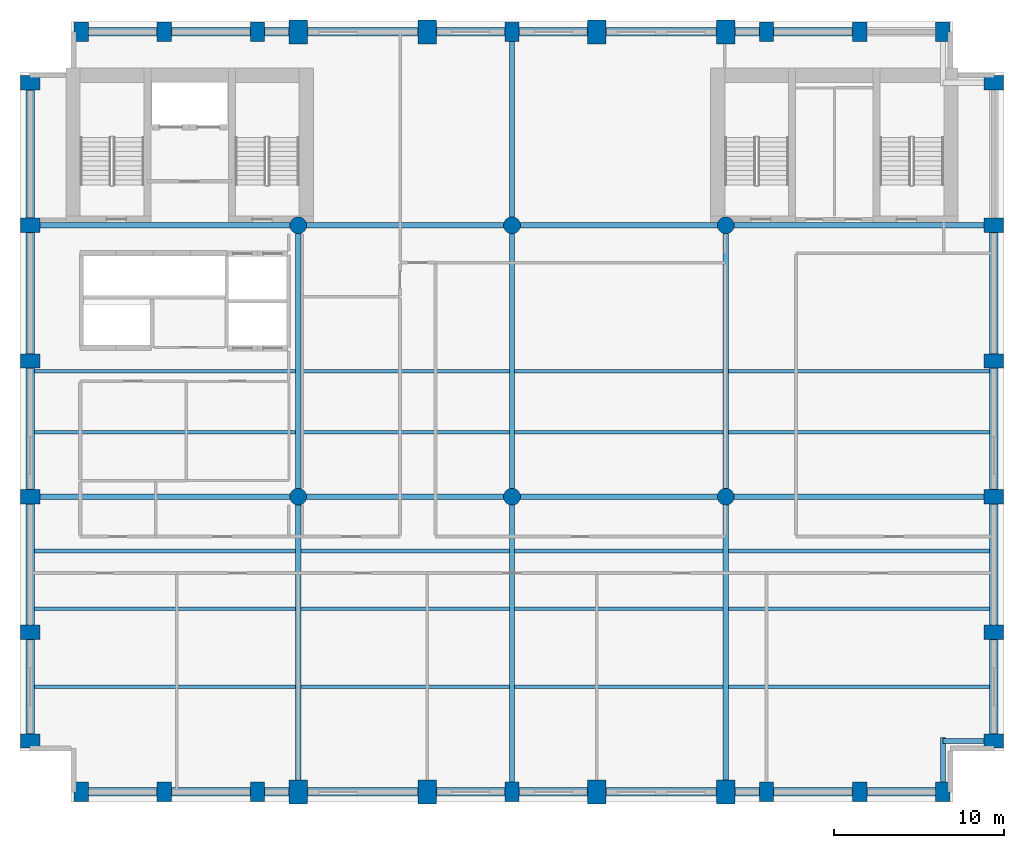
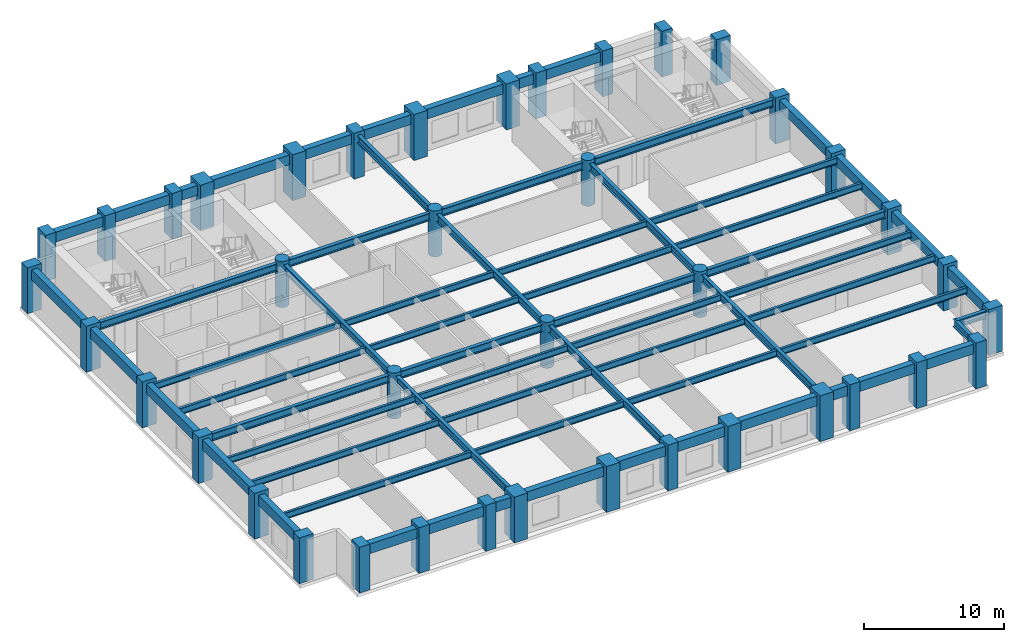
# One storey, part 1 of 8: 65 beams, 40 columns.
"""IFC4 building model written with IfcOpenShell, lengths in metres."""

import ifcopenshell
import ifcopenshell.guid

model = None  # the IFC model being written
_history = None  # IfcOwnerHistory: only IFC2X3 demands one
_inside = {}  # id of a spatial element -> (the spatial element, [elements in it])
_under = {}  # id of a project, library or spatial element -> (it, [spatial elements below it])
_declared = {}  # id of a project -> (the project, [libraries it declares])
_typed = {}  # id of a type object -> (the type object, [elements of that type])
_made_of = {}  # id of a material, layer set ... -> (it, [elements and type objects made of it])


def new_model(schema):
    """Start an empty IFC model of exactly this schema.

    Asked for "IFC4X3", IfcOpenShell would pick the latest addendum, in which some entities
    have other attributes; the version numbers below select the first issue.
    IFC2X3 requires an IfcOwnerHistory on every rooted entity: one is made here for all.
    """
    global model, _history
    if schema == "IFC4X3":
        model = ifcopenshell.file(schema_version=(4, 3, 0, 0))
    else:
        model = ifcopenshell.file(schema=schema)
    _inside.clear()
    _under.clear()
    _declared.clear()
    _typed.clear()
    _made_of.clear()
    _history = None
    if model.schema == "IFC2X3":
        org = make("IfcOrganization", Name="unknown")
        user = make(
            "IfcPersonAndOrganization",
            ThePerson=make("IfcPerson", FamilyName="unknown"),
            TheOrganization=org,
        )
        app = make(
            "IfcApplication",
            ApplicationDeveloper=org,
            Version="unknown",
            ApplicationFullName="unknown",
            ApplicationIdentifier="unknown",
        )
        _history = make(
            "IfcOwnerHistory",
            OwningUser=user,
            OwningApplication=app,
            ChangeAction="ADDED",
            CreationDate=0,
        )
    return model


def make(cls, **values):
    """One entity of the class cls with the attributes given. An attribute that is None is left unset."""
    return model.create_entity(
        cls, **{name: value for name, value in values.items() if value is not None}
    )


def rooted(cls, **values):
    """An entity with a GlobalId (a new one), such as an element, a storey or a relation."""
    return make(cls, GlobalId=ifcopenshell.guid.new(), OwnerHistory=_history, **values)


def si_unit(unit_type, name, prefix=None):
    """IfcSIUnit, for example si_unit("LENGTHUNIT", "METRE", prefix="MILLI")."""
    return make("IfcSIUnit", UnitType=unit_type, Prefix=prefix, Name=name)


def assignment(units):
    """IfcUnitAssignment: the units of a project."""
    return None if units is None else make("IfcUnitAssignment", Units=units)


def point(xyz):
    """IfcCartesianPoint."""
    return None if xyz is None else make("IfcCartesianPoint", Coordinates=xyz)


def direction(xyz):
    """IfcDirection."""
    return None if xyz is None else make("IfcDirection", DirectionRatios=xyz)


def frame(location, z_axis=None, x_axis=None):
    """IfcAxis2Placement3D, a coordinate frame: its origin and axes. An axis left out is left unset."""
    return make(
        "IfcAxis2Placement3D",
        Location=point(location),
        Axis=direction(z_axis),
        RefDirection=direction(x_axis),
    )


def frame_2d(location, x_axis=None):
    """IfcAxis2Placement2D, a coordinate frame in the plane: its origin and x axis."""
    return make(
        "IfcAxis2Placement2D", Location=point(location), RefDirection=direction(x_axis)
    )


def origin():
    """The frame at (0, 0, 0) with its axes left unset."""
    return frame((0.0, 0.0, 0.0))


def origin_2d():
    """The frame at (0, 0) in the plane with its x axis left unset."""
    return frame_2d((0.0, 0.0))


def place(relative_to, where):
    """IfcLocalPlacement: puts the frame where relative to a parent placement (None: the world)."""
    return make(
        "IfcLocalPlacement", PlacementRelTo=relative_to, RelativePlacement=where
    )


def context(
    kind, dimensions, precision=None, world=None, true_north=None, identifier=None
):
    """IfcGeometricRepresentationContext, for example the 3D "Model" context."""
    return make(
        "IfcGeometricRepresentationContext",
        ContextIdentifier=identifier,
        ContextType=kind,
        CoordinateSpaceDimension=dimensions,
        Precision=precision,
        WorldCoordinateSystem=world,
        TrueNorth=true_north,
    )


def subcontext(parent, identifier, kind, view, scale=None):
    """IfcGeometricRepresentationSubContext, for example "Body" below "Model"."""
    return make(
        "IfcGeometricRepresentationSubContext",
        ContextIdentifier=identifier,
        ContextType=kind,
        ParentContext=parent,
        TargetScale=scale,
        TargetView=view,
    )


def project(units=None, contexts=None):
    """IfcProject with its units and contexts."""
    return rooted(
        "IfcProject",
        Name="project",
        RepresentationContexts=contexts,
        UnitsInContext=assignment(units),
    )


def spatial(cls, under=None, at=None, **own):
    """A site, building, storey or space (cls), placed at a placement, below another one or the project."""
    s = rooted(cls, ObjectPlacement=at, **own)
    if under is not None:
        _under.setdefault(under.id(), (under, []))[1].append(s)
    return s


def profile(cls, at=None, kind="AREA", **sizes):
    """A parametric profile (cls). Its sizes go by their IFC names, for example OverallWidth=200.0."""
    return make(cls, ProfileType=kind, Position=at, **sizes)


def rectangle(**sizes):
    """IfcRectangleProfileDef."""
    return profile("IfcRectangleProfileDef", **sizes)


def circle(**sizes):
    """IfcCircleProfileDef."""
    return profile("IfcCircleProfileDef", **sizes)


def i_section(**sizes):
    """IfcIShapeProfileDef."""
    return profile("IfcIShapeProfileDef", **sizes)


def extrude(swept, where, along, depth):
    """IfcExtrudedAreaSolid: the profile swept, set in the frame where, extruded along a direction by depth."""
    return make(
        "IfcExtrudedAreaSolid",
        SweptArea=swept,
        Position=where,
        ExtrudedDirection=direction(along),
        Depth=depth,
    )


def shape(context_of_items, identifier, shape_type, items):
    """IfcShapeRepresentation: the items that make up one representation, for example the "Body"."""
    return make(
        "IfcShapeRepresentation",
        ContextOfItems=context_of_items,
        RepresentationIdentifier=identifier,
        RepresentationType=shape_type,
        Items=items,
    )


def material(Name=None, Category=None):
    """IfcMaterial."""
    return make("IfcMaterial", Name=Name, Category=Category)


def material_profile(
    of_material, cross_section, Name=None, Category=None, Priority=None
):
    """IfcMaterialProfile: a cross section and its material."""
    return make(
        "IfcMaterialProfile",
        Name=Name,
        Material=of_material,
        Profile=cross_section,
        Priority=Priority,
        Category=Category,
    )


def profile_set(profiles, Name=None, composite=None):
    """IfcMaterialProfileSet."""
    return make(
        "IfcMaterialProfileSet",
        Name=Name,
        MaterialProfiles=profiles,
        CompositeProfile=composite,
    )


def made_of(thing, what):
    """Note that an element or type object is made of a material, layer set ...; save() writes the relation."""
    if what is not None:
        _made_of.setdefault(what.id(), (what, []))[1].append(thing)
    return thing


def type_object(cls, material=None, **own):
    """A type object (cls), such as IfcWallType, which elements share."""
    return made_of(rooted(cls, **own), material)


def element(
    cls,
    number,
    at=None,
    inside=None,
    cuts=None,
    type_object=None,
    material=None,
    context=None,
    identifier="Body",
    shape_type=None,
    held_by="IfcProductDefinitionShape",
    body=None,
    shapes=None,
    **own,
):
    """One element of the class cls, such as IfcWall. Its Tag is "e" and its number.

    at: its placement. inside: the storey or other place that contains it. cuts: it is an
    opening in that element (IfcRelVoidsElement). A single representation is given by context,
    identifier, shape_type and body (its items); several are given by shapes. held_by: the class
    of the entity that holds the representations. save() writes the other relations.
    """
    e = rooted(cls, Tag="e%d" % number, ObjectPlacement=at, **own)
    if body is not None:
        shapes = [shape(context, identifier, shape_type, body)]
    if shapes is not None:
        e.Representation = make(held_by, Representations=shapes)
    if inside is not None:
        _inside.setdefault(inside.id(), (inside, []))[1].append(e)
    if cuts is not None:
        rooted(
            "IfcRelVoidsElement", RelatingBuildingElement=cuts, RelatedOpeningElement=e
        )
    if type_object is not None:
        _typed.setdefault(type_object.id(), (type_object, []))[1].append(e)
    return made_of(e, material)


def aggregate(whole, parts):
    """IfcRelAggregates: a whole, such as a stair, and the parts it consists of."""
    return rooted("IfcRelAggregates", RelatingObject=whole, RelatedObjects=parts)


def save(model, path):
    """Write the relations noted so far, then the file.

    IfcRelAggregates (storeys below a building ...), IfcRelContainedInSpatialStructure (elements
    in a storey), IfcRelDefinesByType, IfcRelAssociatesMaterial and IfcRelDeclares: one each for
    every whole, place, type object, material and project.
    """
    for whole, parts in _under.values():
        aggregate(whole, parts)
    for where, things in _inside.values():
        rooted(
            "IfcRelContainedInSpatialStructure",
            RelatedElements=things,
            RelatingStructure=where,
        )
    for kind, things in _typed.values():
        rooted("IfcRelDefinesByType", RelatedObjects=things, RelatingType=kind)
    for what, things in _made_of.values():
        rooted("IfcRelAssociatesMaterial", RelatedObjects=things, RelatingMaterial=what)
    for by, libraries in _declared.values():
        rooted("IfcRelDeclares", RelatingContext=by, RelatedDefinitions=libraries)
    model.write(path)


model = new_model("IFC4")

# Units and contexts
model_context = context("Model", 3, precision=1e-05, world=origin(), true_north=direction((0.0, 1.0)))
body_context = subcontext(model_context, "Body", "Model", "MODEL_VIEW")
ifc_project = project(units=[si_unit("LENGTHUNIT", "METRE"), si_unit("AREAUNIT", "SQUARE_METRE"), si_unit("VOLUMEUNIT", "CUBIC_METRE"), si_unit("PLANEANGLEUNIT", "RADIAN"), si_unit("MASSUNIT", "GRAM", prefix="KILO")], contexts=[model_context])

# Site, building, storey
site_placement = place(None, origin())
site = spatial("IfcSite", under=ifc_project, at=site_placement, CompositionType="ELEMENT")
building_placement = place(site_placement, origin())
building = spatial("IfcBuilding", under=site, at=building_placement, Name="Sulina Concourse Tower", CompositionType="ELEMENT")
storey_placement = place(building_placement, frame((0.0, 0.0, 140.60009765625)))
storey = spatial("IfcBuildingStorey", under=building, at=storey_placement, Name="L34", CompositionType="ELEMENT", Elevation=140.60009765625)

# Columns
ifc_material_1 = material(Name="Concrete C60/75", Category="concrete")
ifc_material_profile_1 = material_profile(ifc_material_1, circle(Radius=0.5, at=origin_2d()), Name="RC D1000")
ifc_profile_set_1 = profile_set([ifc_material_profile_1], Name="Concrete C60/75")
column_type_1 = type_object("IfcColumnType", Name="Lower Interior Circular Column D1000", PredefinedType="COLUMN", material=ifc_profile_set_1)
for number, where, z_axis, x_axis, name in (
    (1, (16.39990234375, 18.0, 0.0), (0.0, 0.0, 1.0), (1.0, 0.0, 0.0), "L34 structural column IC-M-164"),
    (2, (16.39990234375, 34.0, 0.0), (0.0, 0.0, 1.0), (1.0, 0.0, 0.0), "L34 structural column IC-N-164"),
    (3, (29.0, 18.0, 0.0), (0.0, 0.0, 1.0), (1.0, 0.0, 0.0), "L34 structural column IC-M-290"),
    (4, (29.0, 34.0, 0.0), (0.0, 0.0, 1.0), (1.0, 0.0, 0.0), "L34 structural column IC-N-290"),
    (5, (41.60009765625, 18.0, 0.0), (0.0, 0.0, 1.0), (1.0, 0.0, 0.0), "L34 structural column IC-M-416"),
    (6, (41.60009765625, 34.0, 0.0), (0.0, 0.0, 1.0), (1.0, 0.0, 0.0), "L34 structural column IC-N-416"),
):
    element("IfcColumn", number, at=place(storey_placement, frame(where, z_axis=z_axis, x_axis=x_axis)), inside=storey, type_object=column_type_1, Name=name, PredefinedType="COLUMN", context=body_context, shape_type="SweptSolid", body=[
        extrude(circle(Radius=0.5, at=origin_2d()), origin(), (0.0, 0.0, 1.0), 4.0),
    ])
ifc_material_2 = material(Name="Concrete C60/75", Category="concrete")
ifc_material_profile_2 = material_profile(ifc_material_2, rectangle(XDim=1.10009765625, YDim=1.39990234375, at=origin_2d()), Name="RC 1100x1400")
ifc_profile_set_2 = profile_set([ifc_material_profile_2], Name="Concrete C60/75")
column_type_2 = type_object("IfcColumnType", Name="Mid-Rise Portal Column 1100x1400", PredefinedType="COLUMN", material=ifc_profile_set_2)
for number, where, z_axis, x_axis, name in (
    (7, (16.39990234375, 0.60009765625, 0.0), (0.0, 0.0, 1.0), (1.0, 0.0, 0.0), "L34 structural column TP-S-164"),
    (8, (16.39990234375, 45.39990234375, 0.0), (0.0, 0.0, 1.0), (1.0, 0.0, 0.0), "L34 structural column TP-N-164"),
    (9, (24.0, 0.60009765625, 0.0), (0.0, 0.0, 1.0), (1.0, 0.0, 0.0), "L34 structural column TP-S-240"),
    (10, (24.0, 45.39990234375, 0.0), (0.0, 0.0, 1.0), (1.0, 0.0, 0.0), "L34 structural column TP-N-240"),
    (11, (34.0, 0.60009765625, 0.0), (0.0, 0.0, 1.0), (1.0, 0.0, 0.0), "L34 structural column TP-S-340"),
    (12, (34.0, 45.39990234375, 0.0), (0.0, 0.0, 1.0), (1.0, 0.0, 0.0), "L34 structural column TP-N-340"),
    (13, (41.60009765625, 0.60009765625, 0.0), (0.0, 0.0, 1.0), (1.0, 0.0, 0.0), "L34 structural column TP-S-416"),
    (14, (41.60009765625, 45.39990234375, 0.0), (0.0, 0.0, 1.0), (1.0, 0.0, 0.0), "L34 structural column TP-N-416"),
):
    element("IfcColumn", number, at=place(storey_placement, frame(where, z_axis=z_axis, x_axis=x_axis)), inside=storey, type_object=column_type_2, Name=name, PredefinedType="COLUMN", context=body_context, shape_type="SweptSolid", body=[
        extrude(rectangle(XDim=1.10009765625, YDim=1.39990234375, at=origin_2d()), origin(), (0.0, 0.0, 1.0), 4.0),
    ])
ifc_material_3 = material(Name="Precast concrete C60/75", Category="concrete")
ifc_material_profile_3 = material_profile(ifc_material_3, rectangle(XDim=0.85009765625, YDim=1.14990234375, at=origin_2d()), Name="PC 850x1150")
ifc_profile_set_3 = profile_set([ifc_material_profile_3], Name="Precast concrete C60/75")
column_type_3 = type_object("IfcColumnType", Name="Precast Tube Pier Zone 2 850x1150", PredefinedType="COLUMN", material=ifc_profile_set_3)
for number, where, z_axis, x_axis, name in (
    (15, (3.60009765625, 0.60009765625, 0.0), (0.0, 0.0, 1.0), (1.0, 0.0, 0.0), "L34 structural column TP-S-36"),
    (16, (3.60009765625, 45.39990234375, 0.0), (0.0, 0.0, 1.0), (1.0, 0.0, 0.0), "L34 structural column TP-N-36"),
    (17, (8.5, 0.60009765625, 0.0), (0.0, 0.0, 1.0), (1.0, 0.0, 0.0), "L34 structural column TP-S-85"),
    (18, (8.5, 45.39990234375, 0.0), (0.0, 0.0, 1.0), (1.0, 0.0, 0.0), "L34 structural column TP-N-85"),
    (19, (14.0, 0.60009765625, 0.0), (0.0, 0.0, 1.0), (1.0, 0.0, 0.0), "L34 structural column TP-S-140"),
    (20, (14.0, 45.39990234375, 0.0), (0.0, 0.0, 1.0), (1.0, 0.0, 0.0), "L34 structural column TP-N-140"),
    (21, (29.0, 0.60009765625, 0.0), (0.0, 0.0, 1.0), (1.0, 0.0, 0.0), "L34 structural column TP-S-290"),
    (22, (29.0, 45.39990234375, 0.0), (0.0, 0.0, 1.0), (1.0, 0.0, 0.0), "L34 structural column TP-N-290"),
    (23, (44.0, 0.60009765625, 0.0), (0.0, 0.0, 1.0), (1.0, 0.0, 0.0), "L34 structural column TP-S-440"),
    (24, (44.0, 45.39990234375, 0.0), (0.0, 0.0, 1.0), (1.0, 0.0, 0.0), "L34 structural column TP-N-440"),
    (25, (49.5, 0.60009765625, 0.0), (0.0, 0.0, 1.0), (1.0, 0.0, 0.0), "L34 structural column TP-S-495"),
    (26, (49.5, 45.39990234375, 0.0), (0.0, 0.0, 1.0), (1.0, 0.0, 0.0), "L34 structural column TP-N-495"),
    (27, (54.39990234375, 0.60009765625, 0.0), (0.0, 0.0, 1.0), (1.0, 0.0, 0.0), "L34 structural column TP-S-544"),
    (28, (54.39990234375, 45.39990234375, 0.0), (0.0, 0.0, 1.0), (1.0, 0.0, 0.0), "L34 structural column TP-N-544"),
    (29, (0.60009765625, 3.60009765625, 0.0), (0.0, 0.0, 1.0), (0.0, 1.0, 0.0), "L34 structural column TP-W-36"),
    (30, (57.39990234375, 3.60009765625, 0.0), (0.0, 0.0, 1.0), (0.0, 1.0, 0.0), "L34 structural column TP-E-36"),
    (31, (0.60009765625, 10.0, 0.0), (0.0, 0.0, 1.0), (0.0, 1.0, 0.0), "L34 structural column TP-W-100"),
    (32, (57.39990234375, 10.0, 0.0), (0.0, 0.0, 1.0), (0.0, 1.0, 0.0), "L34 structural column TP-E-100"),
    (33, (0.60009765625, 18.0, 0.0), (0.0, 0.0, 1.0), (0.0, 1.0, 0.0), "L34 structural column TP-W-180"),
    (34, (57.39990234375, 18.0, 0.0), (0.0, 0.0, 1.0), (0.0, 1.0, 0.0), "L34 structural column TP-E-180"),
    (35, (0.60009765625, 26.0, 0.0), (0.0, 0.0, 1.0), (0.0, 1.0, 0.0), "L34 structural column TP-W-260"),
    (36, (57.39990234375, 26.0, 0.0), (0.0, 0.0, 1.0), (0.0, 1.0, 0.0), "L34 structural column TP-E-260"),
    (37, (0.60009765625, 34.0, 0.0), (0.0, 0.0, 1.0), (0.0, 1.0, 0.0), "L34 structural column TP-W-340"),
    (38, (57.39990234375, 34.0, 0.0), (0.0, 0.0, 1.0), (0.0, 1.0, 0.0), "L34 structural column TP-E-340"),
    (39, (0.60009765625, 42.39990234375, 0.0), (0.0, 0.0, 1.0), (0.0, 1.0, 0.0), "L34 structural column TP-W-424"),
    (40, (57.39990234375, 42.39990234375, 0.0), (0.0, 0.0, 1.0), (0.0, 1.0, 0.0), "L34 structural column TP-E-424"),
):
    element("IfcColumn", number, at=place(storey_placement, frame(where, z_axis=z_axis, x_axis=x_axis)), inside=storey, type_object=column_type_3, Name=name, PredefinedType="COLUMN", context=body_context, shape_type="SweptSolid", body=[
        extrude(rectangle(XDim=0.85009765625, YDim=1.14990234375, at=origin_2d()), origin(), (0.0, 0.0, 1.0), 4.0),
    ])

# Beams
ifc_material_4 = material(Name="Steel S355", Category="steel")
ifc_material_profile_4 = material_profile(ifc_material_4, i_section(OverallWidth=0.2099609375, OverallDepth=0.550048828125, WebThickness=0.010986328125, FlangeThickness=0.01708984375, at=origin_2d()), Name="IPE 550")
ifc_profile_set_4 = profile_set([ifc_material_profile_4], Name="Steel S355")
beam_type_1 = type_object("IfcBeamType", Name="Composite Floor Joist IPE550", PredefinedType="JOIST", material=ifc_profile_set_4)
beam_1_placement = place(storey_placement, frame((0.85009765625, 6.800048828125, 3.449951171875), z_axis=(1.0, 0.0, 0.0), x_axis=(0.0, 1.0, 0.0)))
element("IfcBeam", 41, at=beam_1_placement, inside=storey, type_object=beam_type_1, Name="FJ-J06-1-L34", PredefinedType="JOIST", context=body_context, shape_type="SweptSolid", body=[
    extrude(i_section(OverallWidth=0.2099609375, OverallDepth=0.550048828125, WebThickness=0.010986328125, FlangeThickness=0.01708984375, at=origin_2d()), origin(), (0.0, 0.0, 1.0), 15.39990234375),
])
for number, where, z_axis, x_axis, name in (
    (42, (16.550048828125, 6.800048828125, 3.449951171875), (1.0, 0.0, 0.0), (0.0, 1.0, 0.0), "FJ-J06-2-L34"),
    (43, (29.14990234375, 6.800048828125, 3.449951171875), (1.0, 0.0, 0.0), (0.0, 1.0, 0.0), "FJ-J06-3-L34"),
):
    element("IfcBeam", number, at=place(storey_placement, frame(where, z_axis=z_axis, x_axis=x_axis)), inside=storey, type_object=beam_type_1, Name=name, PredefinedType="JOIST", context=body_context, shape_type="SweptSolid", body=[
        extrude(i_section(OverallWidth=0.2099609375, OverallDepth=0.550048828125, WebThickness=0.010986328125, FlangeThickness=0.01708984375, at=origin_2d()), origin(), (0.0, 0.0, 1.0), 12.300048828125),
    ])
for number, where, z_axis, x_axis, name in (
    (44, (41.75, 6.800048828125, 3.449951171875), (1.0, 0.0, 0.0), (0.0, 1.0, 0.0), "FJ-J06-4-L34"),
    (45, (0.85009765625, 11.39990234375, 3.449951171875), (1.0, 0.0, 0.0), (0.0, 1.0, 0.0), "FJ-J11-1-L34"),
):
    element("IfcBeam", number, at=place(storey_placement, frame(where, z_axis=z_axis, x_axis=x_axis)), inside=storey, type_object=beam_type_1, Name=name, PredefinedType="JOIST", context=body_context, shape_type="SweptSolid", body=[
        extrude(i_section(OverallWidth=0.2099609375, OverallDepth=0.550048828125, WebThickness=0.010986328125, FlangeThickness=0.01708984375, at=origin_2d()), origin(), (0.0, 0.0, 1.0), 15.39990234375),
    ])
for number, where, z_axis, x_axis, name in (
    (46, (16.550048828125, 11.39990234375, 3.449951171875), (1.0, 0.0, 0.0), (0.0, 1.0, 0.0), "FJ-J11-2-L34"),
    (47, (29.14990234375, 11.39990234375, 3.449951171875), (1.0, 0.0, 0.0), (0.0, 1.0, 0.0), "FJ-J11-3-L34"),
):
    element("IfcBeam", number, at=place(storey_placement, frame(where, z_axis=z_axis, x_axis=x_axis)), inside=storey, type_object=beam_type_1, Name=name, PredefinedType="JOIST", context=body_context, shape_type="SweptSolid", body=[
        extrude(i_section(OverallWidth=0.2099609375, OverallDepth=0.550048828125, WebThickness=0.010986328125, FlangeThickness=0.01708984375, at=origin_2d()), origin(), (0.0, 0.0, 1.0), 12.300048828125),
    ])
for number, where, z_axis, x_axis, name in (
    (48, (41.75, 11.39990234375, 3.449951171875), (1.0, 0.0, 0.0), (0.0, 1.0, 0.0), "FJ-J11-4-L34"),
    (49, (0.85009765625, 14.800048828125, 3.449951171875), (1.0, 0.0, 0.0), (0.0, 1.0, 0.0), "FJ-J15-1-L34"),
):
    element("IfcBeam", number, at=place(storey_placement, frame(where, z_axis=z_axis, x_axis=x_axis)), inside=storey, type_object=beam_type_1, Name=name, PredefinedType="JOIST", context=body_context, shape_type="SweptSolid", body=[
        extrude(i_section(OverallWidth=0.2099609375, OverallDepth=0.550048828125, WebThickness=0.010986328125, FlangeThickness=0.01708984375, at=origin_2d()), origin(), (0.0, 0.0, 1.0), 15.39990234375),
    ])
for number, where, z_axis, x_axis, name in (
    (50, (16.550048828125, 14.800048828125, 3.449951171875), (1.0, 0.0, 0.0), (0.0, 1.0, 0.0), "FJ-J15-2-L34"),
    (51, (29.14990234375, 14.800048828125, 3.449951171875), (1.0, 0.0, 0.0), (0.0, 1.0, 0.0), "FJ-J15-3-L34"),
):
    element("IfcBeam", number, at=place(storey_placement, frame(where, z_axis=z_axis, x_axis=x_axis)), inside=storey, type_object=beam_type_1, Name=name, PredefinedType="JOIST", context=body_context, shape_type="SweptSolid", body=[
        extrude(i_section(OverallWidth=0.2099609375, OverallDepth=0.550048828125, WebThickness=0.010986328125, FlangeThickness=0.01708984375, at=origin_2d()), origin(), (0.0, 0.0, 1.0), 12.300048828125),
    ])
for number, where, z_axis, x_axis, name in (
    (52, (41.75, 14.800048828125, 3.449951171875), (1.0, 0.0, 0.0), (0.0, 1.0, 0.0), "FJ-J15-4-L34"),
    (53, (0.85009765625, 21.800048828125, 3.449951171875), (1.0, 0.0, 0.0), (0.0, 1.0, 0.0), "FJ-J22-1-L34"),
):
    element("IfcBeam", number, at=place(storey_placement, frame(where, z_axis=z_axis, x_axis=x_axis)), inside=storey, type_object=beam_type_1, Name=name, PredefinedType="JOIST", context=body_context, shape_type="SweptSolid", body=[
        extrude(i_section(OverallWidth=0.2099609375, OverallDepth=0.550048828125, WebThickness=0.010986328125, FlangeThickness=0.01708984375, at=origin_2d()), origin(), (0.0, 0.0, 1.0), 15.39990234375),
    ])
for number, where, z_axis, x_axis, name in (
    (54, (16.550048828125, 21.800048828125, 3.449951171875), (1.0, 0.0, 0.0), (0.0, 1.0, 0.0), "FJ-J22-2-L34"),
    (55, (29.14990234375, 21.800048828125, 3.449951171875), (1.0, 0.0, 0.0), (0.0, 1.0, 0.0), "FJ-J22-3-L34"),
):
    element("IfcBeam", number, at=place(storey_placement, frame(where, z_axis=z_axis, x_axis=x_axis)), inside=storey, type_object=beam_type_1, Name=name, PredefinedType="JOIST", context=body_context, shape_type="SweptSolid", body=[
        extrude(i_section(OverallWidth=0.2099609375, OverallDepth=0.550048828125, WebThickness=0.010986328125, FlangeThickness=0.01708984375, at=origin_2d()), origin(), (0.0, 0.0, 1.0), 12.300048828125),
    ])
for number, where, z_axis, x_axis, name in (
    (56, (41.75, 21.800048828125, 3.449951171875), (1.0, 0.0, 0.0), (0.0, 1.0, 0.0), "FJ-J22-4-L34"),
    (57, (0.85009765625, 25.39990234375, 3.449951171875), (1.0, 0.0, 0.0), (0.0, 1.0, 0.0), "FJ-J25-1-L34"),
):
    element("IfcBeam", number, at=place(storey_placement, frame(where, z_axis=z_axis, x_axis=x_axis)), inside=storey, type_object=beam_type_1, Name=name, PredefinedType="JOIST", context=body_context, shape_type="SweptSolid", body=[
        extrude(i_section(OverallWidth=0.2099609375, OverallDepth=0.550048828125, WebThickness=0.010986328125, FlangeThickness=0.01708984375, at=origin_2d()), origin(), (0.0, 0.0, 1.0), 15.39990234375),
    ])
for number, where, z_axis, x_axis, name in (
    (58, (16.550048828125, 25.39990234375, 3.449951171875), (1.0, 0.0, 0.0), (0.0, 1.0, 0.0), "FJ-J25-2-L34"),
    (59, (29.14990234375, 25.39990234375, 3.449951171875), (1.0, 0.0, 0.0), (0.0, 1.0, 0.0), "FJ-J25-3-L34"),
):
    element("IfcBeam", number, at=place(storey_placement, frame(where, z_axis=z_axis, x_axis=x_axis)), inside=storey, type_object=beam_type_1, Name=name, PredefinedType="JOIST", context=body_context, shape_type="SweptSolid", body=[
        extrude(i_section(OverallWidth=0.2099609375, OverallDepth=0.550048828125, WebThickness=0.010986328125, FlangeThickness=0.01708984375, at=origin_2d()), origin(), (0.0, 0.0, 1.0), 12.300048828125),
    ])
beam_2_placement = place(storey_placement, frame((41.75, 25.39990234375, 3.449951171875), z_axis=(1.0, 0.0, 0.0), x_axis=(0.0, 1.0, 0.0)))
element("IfcBeam", 60, at=beam_2_placement, inside=storey, type_object=beam_type_1, Name="FJ-J25-4-L34", PredefinedType="JOIST", context=body_context, shape_type="SweptSolid", body=[
    extrude(i_section(OverallWidth=0.2099609375, OverallDepth=0.550048828125, WebThickness=0.010986328125, FlangeThickness=0.01708984375, at=origin_2d()), origin(), (0.0, 0.0, 1.0), 15.39990234375),
])
ifc_material_5 = material(Name="Steel S355", Category="steel")
ifc_material_profile_5 = material_profile(ifc_material_5, i_section(OverallWidth=0.300048828125, OverallDepth=0.64990234375, WebThickness=0.01611328125, FlangeThickness=0.031005859375, at=origin_2d()), Name="HE 650 B")
ifc_profile_set_5 = profile_set([ifc_material_profile_5], Name="Steel S355")
beam_type_2 = type_object("IfcBeamType", Name="Floor Primary Girder Zone 2 HE650B", PredefinedType="BEAM", material=ifc_profile_set_5)
beam_3_placement = place(storey_placement, frame((54.39990234375, 3.60009765625, 3.39990234375), z_axis=(1.0, 0.0, 0.0), x_axis=(0.0, 1.0, 0.0)))
element("IfcBeam", 61, at=beam_3_placement, inside=storey, type_object=beam_type_2, Name="TIE-SE-L34", PredefinedType="BEAM", context=body_context, shape_type="SweptSolid", body=[
    extrude(i_section(OverallWidth=0.300048828125, OverallDepth=0.64990234375, WebThickness=0.01611328125, FlangeThickness=0.031005859375, at=origin_2d()), origin(), (0.0, 0.0, 1.0), 2.59521484375),
])
beam_4_placement = place(storey_placement, frame((54.39990234375, 1.0048828125, 3.39990234375), z_axis=(0.0, 1.0, 0.0), x_axis=(-1.0, 0.0, 0.0)))
element("IfcBeam", 62, at=beam_4_placement, inside=storey, type_object=beam_type_2, Name="TIE-SES-L34", PredefinedType="BEAM", context=body_context, shape_type="SweptSolid", body=[
    extrude(i_section(OverallWidth=0.300048828125, OverallDepth=0.64990234375, WebThickness=0.01611328125, FlangeThickness=0.031005859375, at=origin_2d()), origin(), (0.0, 0.0, 1.0), 2.795166015625),
])
beam_5_placement = place(storey_placement, frame((1.0048828125, 18.0, 3.39990234375), z_axis=(1.0, 0.0, 0.0), x_axis=(0.0, 1.0, 0.0)))
element("IfcBeam", 63, at=beam_5_placement, inside=storey, type_object=beam_type_2, Name="FG-EW1-L34", PredefinedType="BEAM", context=body_context, shape_type="SweptSolid", body=[
    extrude(i_section(OverallWidth=0.300048828125, OverallDepth=0.64990234375, WebThickness=0.01611328125, FlangeThickness=0.031005859375, at=origin_2d()), origin(), (0.0, 0.0, 1.0), 14.9150390625),
])
for number, where, z_axis, x_axis, name in (
    (64, (16.8798828125, 18.0, 3.39990234375), (1.0, 0.0, 0.0), (0.0, 1.0, 0.0), "FG-EW2-L34"),
    (65, (29.47998046875, 18.0, 3.39990234375), (1.0, 0.0, 0.0), (0.0, 1.0, 0.0), "FG-EW3-L34"),
):
    element("IfcBeam", number, at=place(storey_placement, frame(where, z_axis=z_axis, x_axis=x_axis)), inside=storey, type_object=beam_type_2, Name=name, PredefinedType="BEAM", context=body_context, shape_type="SweptSolid", body=[
        extrude(i_section(OverallWidth=0.300048828125, OverallDepth=0.64990234375, WebThickness=0.01611328125, FlangeThickness=0.031005859375, at=origin_2d()), origin(), (0.0, 0.0, 1.0), 11.64013671875),
    ])
for number, where, z_axis, x_axis, name in (
    (66, (42.080078125, 18.0, 3.39990234375), (1.0, 0.0, 0.0), (0.0, 1.0, 0.0), "FG-EW4-L34"),
    (67, (1.0048828125, 34.0, 3.39990234375), (1.0, 0.0, 0.0), (0.0, 1.0, 0.0), "FG-EWN1-L34"),
):
    element("IfcBeam", number, at=place(storey_placement, frame(where, z_axis=z_axis, x_axis=x_axis)), inside=storey, type_object=beam_type_2, Name=name, PredefinedType="BEAM", context=body_context, shape_type="SweptSolid", body=[
        extrude(i_section(OverallWidth=0.300048828125, OverallDepth=0.64990234375, WebThickness=0.01611328125, FlangeThickness=0.031005859375, at=origin_2d()), origin(), (0.0, 0.0, 1.0), 14.9150390625),
    ])
for number, where, z_axis, x_axis, name in (
    (68, (16.8798828125, 34.0, 3.39990234375), (1.0, 0.0, 0.0), (0.0, 1.0, 0.0), "FG-EWN2-L34"),
    (69, (29.47998046875, 34.0, 3.39990234375), (1.0, 0.0, 0.0), (0.0, 1.0, 0.0), "FG-EWN3-L34"),
):
    element("IfcBeam", number, at=place(storey_placement, frame(where, z_axis=z_axis, x_axis=x_axis)), inside=storey, type_object=beam_type_2, Name=name, PredefinedType="BEAM", context=body_context, shape_type="SweptSolid", body=[
        extrude(i_section(OverallWidth=0.300048828125, OverallDepth=0.64990234375, WebThickness=0.01611328125, FlangeThickness=0.031005859375, at=origin_2d()), origin(), (0.0, 0.0, 1.0), 11.64013671875),
    ])
beam_6_placement = place(storey_placement, frame((42.080078125, 34.0, 3.39990234375), z_axis=(1.0, 0.0, 0.0), x_axis=(0.0, 1.0, 0.0)))
element("IfcBeam", 70, at=beam_6_placement, inside=storey, type_object=beam_type_2, Name="FG-EWN4-L34", PredefinedType="BEAM", context=body_context, shape_type="SweptSolid", body=[
    extrude(i_section(OverallWidth=0.300048828125, OverallDepth=0.64990234375, WebThickness=0.01611328125, FlangeThickness=0.031005859375, at=origin_2d()), origin(), (0.0, 0.0, 1.0), 14.9150390625),
])
beam_7_placement = place(storey_placement, frame((16.39990234375, 1.1298828125, 3.39990234375), z_axis=(0.0, 1.0, 0.0), x_axis=(-1.0, 0.0, 0.0)))
element("IfcBeam", 71, at=beam_7_placement, inside=storey, type_object=beam_type_2, Name="FG-NSA-16-L34", PredefinedType="BEAM", context=body_context, shape_type="SweptSolid", body=[
    extrude(i_section(OverallWidth=0.300048828125, OverallDepth=0.64990234375, WebThickness=0.01611328125, FlangeThickness=0.031005859375, at=origin_2d()), origin(), (0.0, 0.0, 1.0), 16.39013671875),
])
beam_8_placement = place(storey_placement, frame((16.39990234375, 18.47998046875, 3.39990234375), z_axis=(0.0, 1.0, 0.0), x_axis=(-1.0, 0.0, 0.0)))
element("IfcBeam", 72, at=beam_8_placement, inside=storey, type_object=beam_type_2, Name="FG-NSB-16-L34", PredefinedType="BEAM", context=body_context, shape_type="SweptSolid", body=[
    extrude(i_section(OverallWidth=0.300048828125, OverallDepth=0.64990234375, WebThickness=0.01611328125, FlangeThickness=0.031005859375, at=origin_2d()), origin(), (0.0, 0.0, 1.0), 15.0400390625),
])
beam_9_placement = place(storey_placement, frame((29.0, 1.0048828125, 3.39990234375), z_axis=(0.0, 1.0, 0.0), x_axis=(-1.0, 0.0, 0.0)))
element("IfcBeam", 73, at=beam_9_placement, inside=storey, type_object=beam_type_2, Name="FG-NSA-29-L34", PredefinedType="BEAM", context=body_context, shape_type="SweptSolid", body=[
    extrude(i_section(OverallWidth=0.300048828125, OverallDepth=0.64990234375, WebThickness=0.01611328125, FlangeThickness=0.031005859375, at=origin_2d()), origin(), (0.0, 0.0, 1.0), 16.51513671875),
])
beam_10_placement = place(storey_placement, frame((29.0, 18.47998046875, 3.39990234375), z_axis=(0.0, 1.0, 0.0), x_axis=(-1.0, 0.0, 0.0)))
element("IfcBeam", 74, at=beam_10_placement, inside=storey, type_object=beam_type_2, Name="FG-NSB-29-L34", PredefinedType="BEAM", context=body_context, shape_type="SweptSolid", body=[
    extrude(i_section(OverallWidth=0.300048828125, OverallDepth=0.64990234375, WebThickness=0.01611328125, FlangeThickness=0.031005859375, at=origin_2d()), origin(), (0.0, 0.0, 1.0), 15.0400390625),
])
beam_11_placement = place(storey_placement, frame((29.0, 34.47998046875, 3.39990234375), z_axis=(0.0, 1.0, 0.0), x_axis=(-1.0, 0.0, 0.0)))
element("IfcBeam", 75, at=beam_11_placement, inside=storey, type_object=beam_type_2, Name="FG-NSC-29-L34", PredefinedType="BEAM", context=body_context, shape_type="SweptSolid", body=[
    extrude(i_section(OverallWidth=0.300048828125, OverallDepth=0.64990234375, WebThickness=0.01611328125, FlangeThickness=0.031005859375, at=origin_2d()), origin(), (0.0, 0.0, 1.0), 10.51513671875),
])
beam_12_placement = place(storey_placement, frame((41.60009765625, 1.1298828125, 3.39990234375), z_axis=(0.0, 1.0, 0.0), x_axis=(-1.0, 0.0, 0.0)))
element("IfcBeam", 76, at=beam_12_placement, inside=storey, type_object=beam_type_2, Name="FG-NSA-41-L34", PredefinedType="BEAM", context=body_context, shape_type="SweptSolid", body=[
    extrude(i_section(OverallWidth=0.300048828125, OverallDepth=0.64990234375, WebThickness=0.01611328125, FlangeThickness=0.031005859375, at=origin_2d()), origin(), (0.0, 0.0, 1.0), 16.39013671875),
])
beam_13_placement = place(storey_placement, frame((41.60009765625, 18.47998046875, 3.39990234375), z_axis=(0.0, 1.0, 0.0), x_axis=(-1.0, 0.0, 0.0)))
element("IfcBeam", 77, at=beam_13_placement, inside=storey, type_object=beam_type_2, Name="FG-NSB-41-L34", PredefinedType="BEAM", context=body_context, shape_type="SweptSolid", body=[
    extrude(i_section(OverallWidth=0.300048828125, OverallDepth=0.64990234375, WebThickness=0.01611328125, FlangeThickness=0.031005859375, at=origin_2d()), origin(), (0.0, 0.0, 1.0), 15.0400390625),
])
ifc_material_6 = material(Name="Precast concrete C50/60", Category="concrete")
ifc_material_profile_6 = material_profile(ifc_material_6, rectangle(XDim=0.5, YDim=0.85009765625, at=origin_2d()), Name="RC 500x850")
ifc_profile_set_6 = profile_set([ifc_material_profile_6], Name="Precast concrete C50/60")
beam_type_3 = type_object("IfcBeamType", Name="Lower Precast Spandrel Edge Beam 500x850", PredefinedType="BEAM", material=ifc_profile_set_6)
beam_14_placement = place(storey_placement, frame((4.0048828125, 0.60009765625, 3.2998046875), z_axis=(1.0, 0.0, 0.0), x_axis=(0.0, 1.0, 0.0)))
element("IfcBeam", 78, at=beam_14_placement, inside=storey, type_object=beam_type_3, Name="SP-S1-L34", PredefinedType="BEAM", context=body_context, shape_type="SweptSolid", body=[
    extrude(rectangle(XDim=0.5, YDim=0.85009765625, at=origin_2d()), origin(), (0.0, 0.0, 1.0), 4.090087890625),
])
beam_15_placement = place(storey_placement, frame((8.905029296875, 0.60009765625, 3.2998046875), z_axis=(1.0, 0.0, 0.0), x_axis=(0.0, 1.0, 0.0)))
element("IfcBeam", 79, at=beam_15_placement, inside=storey, type_object=beam_type_3, Name="SP-S2-L34", PredefinedType="BEAM", context=body_context, shape_type="SweptSolid", body=[
    extrude(rectangle(XDim=0.5, YDim=0.85009765625, at=origin_2d()), origin(), (0.0, 0.0, 1.0), 4.68994140625),
])
beam_16_placement = place(storey_placement, frame((14.405029296875, 0.60009765625, 3.2998046875), z_axis=(1.0, 0.0, 0.0), x_axis=(0.0, 1.0, 0.0)))
element("IfcBeam", 80, at=beam_16_placement, inside=storey, type_object=beam_type_3, Name="SP-S3-L34", PredefinedType="BEAM", context=body_context, shape_type="SweptSolid", body=[
    extrude(rectangle(XDim=0.5, YDim=0.85009765625, at=origin_2d()), origin(), (0.0, 0.0, 1.0), 1.465087890625),
])
beam_17_placement = place(storey_placement, frame((16.929931640625, 0.60009765625, 3.2998046875), z_axis=(1.0, 0.0, 0.0), x_axis=(0.0, 1.0, 0.0)))
element("IfcBeam", 81, at=beam_17_placement, inside=storey, type_object=beam_type_3, Name="SP-S4-L34", PredefinedType="BEAM", context=body_context, shape_type="SweptSolid", body=[
    extrude(rectangle(XDim=0.5, YDim=0.85009765625, at=origin_2d()), origin(), (0.0, 0.0, 1.0), 6.5400390625),
])
for number, where, z_axis, x_axis, name in (
    (82, (24.530029296875, 0.60009765625, 3.2998046875), (1.0, 0.0, 0.0), (0.0, 1.0, 0.0), "SP-S5-L34"),
    (83, (29.405029296875, 0.60009765625, 3.2998046875), (1.0, 0.0, 0.0), (0.0, 1.0, 0.0), "SP-S6-L34"),
):
    element("IfcBeam", number, at=place(storey_placement, frame(where, z_axis=z_axis, x_axis=x_axis)), inside=storey, type_object=beam_type_3, Name=name, PredefinedType="BEAM", context=body_context, shape_type="SweptSolid", body=[
        extrude(rectangle(XDim=0.5, YDim=0.85009765625, at=origin_2d()), origin(), (0.0, 0.0, 1.0), 4.06494140625),
    ])
beam_18_placement = place(storey_placement, frame((34.530029296875, 0.60009765625, 3.2998046875), z_axis=(1.0, 0.0, 0.0), x_axis=(0.0, 1.0, 0.0)))
element("IfcBeam", 84, at=beam_18_placement, inside=storey, type_object=beam_type_3, Name="SP-S7-L34", PredefinedType="BEAM", context=body_context, shape_type="SweptSolid", body=[
    extrude(rectangle(XDim=0.5, YDim=0.85009765625, at=origin_2d()), origin(), (0.0, 0.0, 1.0), 6.5400390625),
])
beam_19_placement = place(storey_placement, frame((42.1298828125, 0.60009765625, 3.2998046875), z_axis=(1.0, 0.0, 0.0), x_axis=(0.0, 1.0, 0.0)))
element("IfcBeam", 85, at=beam_19_placement, inside=storey, type_object=beam_type_3, Name="SP-S8-L34", PredefinedType="BEAM", context=body_context, shape_type="SweptSolid", body=[
    extrude(rectangle(XDim=0.5, YDim=0.85009765625, at=origin_2d()), origin(), (0.0, 0.0, 1.0), 1.465087890625),
])
beam_20_placement = place(storey_placement, frame((44.405029296875, 0.60009765625, 3.2998046875), z_axis=(1.0, 0.0, 0.0), x_axis=(0.0, 1.0, 0.0)))
element("IfcBeam", 86, at=beam_20_placement, inside=storey, type_object=beam_type_3, Name="SP-S9-L34", PredefinedType="BEAM", context=body_context, shape_type="SweptSolid", body=[
    extrude(rectangle(XDim=0.5, YDim=0.85009765625, at=origin_2d()), origin(), (0.0, 0.0, 1.0), 4.68994140625),
])
for number, where, z_axis, x_axis, name in (
    (87, (49.905029296875, 0.60009765625, 3.2998046875), (1.0, 0.0, 0.0), (0.0, 1.0, 0.0), "SP-S10-L34"),
    (88, (4.0048828125, 45.39990234375, 3.2998046875), (1.0, 0.0, 0.0), (0.0, 1.0, 0.0), "SP-N1-L34"),
):
    element("IfcBeam", number, at=place(storey_placement, frame(where, z_axis=z_axis, x_axis=x_axis)), inside=storey, type_object=beam_type_3, Name=name, PredefinedType="BEAM", context=body_context, shape_type="SweptSolid", body=[
        extrude(rectangle(XDim=0.5, YDim=0.85009765625, at=origin_2d()), origin(), (0.0, 0.0, 1.0), 4.090087890625),
    ])
beam_21_placement = place(storey_placement, frame((8.905029296875, 45.39990234375, 3.2998046875), z_axis=(1.0, 0.0, 0.0), x_axis=(0.0, 1.0, 0.0)))
element("IfcBeam", 89, at=beam_21_placement, inside=storey, type_object=beam_type_3, Name="SP-N2-L34", PredefinedType="BEAM", context=body_context, shape_type="SweptSolid", body=[
    extrude(rectangle(XDim=0.5, YDim=0.85009765625, at=origin_2d()), origin(), (0.0, 0.0, 1.0), 4.68994140625),
])
beam_22_placement = place(storey_placement, frame((14.405029296875, 45.39990234375, 3.2998046875), z_axis=(1.0, 0.0, 0.0), x_axis=(0.0, 1.0, 0.0)))
element("IfcBeam", 90, at=beam_22_placement, inside=storey, type_object=beam_type_3, Name="SP-N3-L34", PredefinedType="BEAM", context=body_context, shape_type="SweptSolid", body=[
    extrude(rectangle(XDim=0.5, YDim=0.85009765625, at=origin_2d()), origin(), (0.0, 0.0, 1.0), 1.465087890625),
])
beam_23_placement = place(storey_placement, frame((16.929931640625, 45.39990234375, 3.2998046875), z_axis=(1.0, 0.0, 0.0), x_axis=(0.0, 1.0, 0.0)))
element("IfcBeam", 91, at=beam_23_placement, inside=storey, type_object=beam_type_3, Name="SP-N4-L34", PredefinedType="BEAM", context=body_context, shape_type="SweptSolid", body=[
    extrude(rectangle(XDim=0.5, YDim=0.85009765625, at=origin_2d()), origin(), (0.0, 0.0, 1.0), 6.5400390625),
])
for number, where, z_axis, x_axis, name in (
    (92, (24.530029296875, 45.39990234375, 3.2998046875), (1.0, 0.0, 0.0), (0.0, 1.0, 0.0), "SP-N5-L34"),
    (93, (29.405029296875, 45.39990234375, 3.2998046875), (1.0, 0.0, 0.0), (0.0, 1.0, 0.0), "SP-N6-L34"),
):
    element("IfcBeam", number, at=place(storey_placement, frame(where, z_axis=z_axis, x_axis=x_axis)), inside=storey, type_object=beam_type_3, Name=name, PredefinedType="BEAM", context=body_context, shape_type="SweptSolid", body=[
        extrude(rectangle(XDim=0.5, YDim=0.85009765625, at=origin_2d()), origin(), (0.0, 0.0, 1.0), 4.06494140625),
    ])
beam_24_placement = place(storey_placement, frame((34.530029296875, 45.39990234375, 3.2998046875), z_axis=(1.0, 0.0, 0.0), x_axis=(0.0, 1.0, 0.0)))
element("IfcBeam", 94, at=beam_24_placement, inside=storey, type_object=beam_type_3, Name="SP-N7-L34", PredefinedType="BEAM", context=body_context, shape_type="SweptSolid", body=[
    extrude(rectangle(XDim=0.5, YDim=0.85009765625, at=origin_2d()), origin(), (0.0, 0.0, 1.0), 6.5400390625),
])
beam_25_placement = place(storey_placement, frame((42.1298828125, 45.39990234375, 3.2998046875), z_axis=(1.0, 0.0, 0.0), x_axis=(0.0, 1.0, 0.0)))
element("IfcBeam", 95, at=beam_25_placement, inside=storey, type_object=beam_type_3, Name="SP-N8-L34", PredefinedType="BEAM", context=body_context, shape_type="SweptSolid", body=[
    extrude(rectangle(XDim=0.5, YDim=0.85009765625, at=origin_2d()), origin(), (0.0, 0.0, 1.0), 1.465087890625),
])
beam_26_placement = place(storey_placement, frame((44.405029296875, 45.39990234375, 3.2998046875), z_axis=(1.0, 0.0, 0.0), x_axis=(0.0, 1.0, 0.0)))
element("IfcBeam", 96, at=beam_26_placement, inside=storey, type_object=beam_type_3, Name="SP-N9-L34", PredefinedType="BEAM", context=body_context, shape_type="SweptSolid", body=[
    extrude(rectangle(XDim=0.5, YDim=0.85009765625, at=origin_2d()), origin(), (0.0, 0.0, 1.0), 4.68994140625),
])
beam_27_placement = place(storey_placement, frame((0.60009765625, 4.0048828125, 3.2998046875), z_axis=(0.0, 1.0, 0.0), x_axis=(-1.0, 0.0, 0.0)))
element("IfcBeam", 97, at=beam_27_placement, inside=storey, type_object=beam_type_3, Name="SP-W1-L34", PredefinedType="BEAM", context=body_context, shape_type="SweptSolid", body=[
    extrude(rectangle(XDim=0.5, YDim=0.85009765625, at=origin_2d()), origin(), (0.0, 0.0, 1.0), 5.590087890625),
])
for number, where, z_axis, x_axis, name in (
    (98, (0.60009765625, 10.405029296875, 3.2998046875), (0.0, 1.0, 0.0), (-1.0, 0.0, 0.0), "SP-W2-L34"),
    (99, (0.60009765625, 18.405029296875, 3.2998046875), (0.0, 1.0, 0.0), (-1.0, 0.0, 0.0), "SP-W3-L34"),
    (100, (0.60009765625, 26.405029296875, 3.2998046875), (0.0, 1.0, 0.0), (-1.0, 0.0, 0.0), "SP-W4-L34"),
):
    element("IfcBeam", number, at=place(storey_placement, frame(where, z_axis=z_axis, x_axis=x_axis)), inside=storey, type_object=beam_type_3, Name=name, PredefinedType="BEAM", context=body_context, shape_type="SweptSolid", body=[
        extrude(rectangle(XDim=0.5, YDim=0.85009765625, at=origin_2d()), origin(), (0.0, 0.0, 1.0), 7.18994140625),
    ])
beam_28_placement = place(storey_placement, frame((0.60009765625, 34.405029296875, 3.2998046875), z_axis=(0.0, 1.0, 0.0), x_axis=(-1.0, 0.0, 0.0)))
element("IfcBeam", 101, at=beam_28_placement, inside=storey, type_object=beam_type_3, Name="SP-W5-L34", PredefinedType="BEAM", context=body_context, shape_type="SweptSolid", body=[
    extrude(rectangle(XDim=0.5, YDim=0.85009765625, at=origin_2d()), origin(), (0.0, 0.0, 1.0), 7.590087890625),
])
beam_29_placement = place(storey_placement, frame((57.39990234375, 4.0048828125, 3.2998046875), z_axis=(0.0, 1.0, 0.0), x_axis=(-1.0, 0.0, 0.0)))
element("IfcBeam", 102, at=beam_29_placement, inside=storey, type_object=beam_type_3, Name="SP-E1-L34", PredefinedType="BEAM", context=body_context, shape_type="SweptSolid", body=[
    extrude(rectangle(XDim=0.5, YDim=0.85009765625, at=origin_2d()), origin(), (0.0, 0.0, 1.0), 5.590087890625),
])
for number, where, z_axis, x_axis, name in (
    (103, (57.39990234375, 10.405029296875, 3.2998046875), (0.0, 1.0, 0.0), (-1.0, 0.0, 0.0), "SP-E2-L34"),
    (104, (57.39990234375, 18.405029296875, 3.2998046875), (0.0, 1.0, 0.0), (-1.0, 0.0, 0.0), "SP-E3-L34"),
    (105, (57.39990234375, 26.405029296875, 3.2998046875), (0.0, 1.0, 0.0), (-1.0, 0.0, 0.0), "SP-E4-L34"),
):
    element("IfcBeam", number, at=place(storey_placement, frame(where, z_axis=z_axis, x_axis=x_axis)), inside=storey, type_object=beam_type_3, Name=name, PredefinedType="BEAM", context=body_context, shape_type="SweptSolid", body=[
        extrude(rectangle(XDim=0.5, YDim=0.85009765625, at=origin_2d()), origin(), (0.0, 0.0, 1.0), 7.18994140625),
    ])

save(model, "model.ifc")
